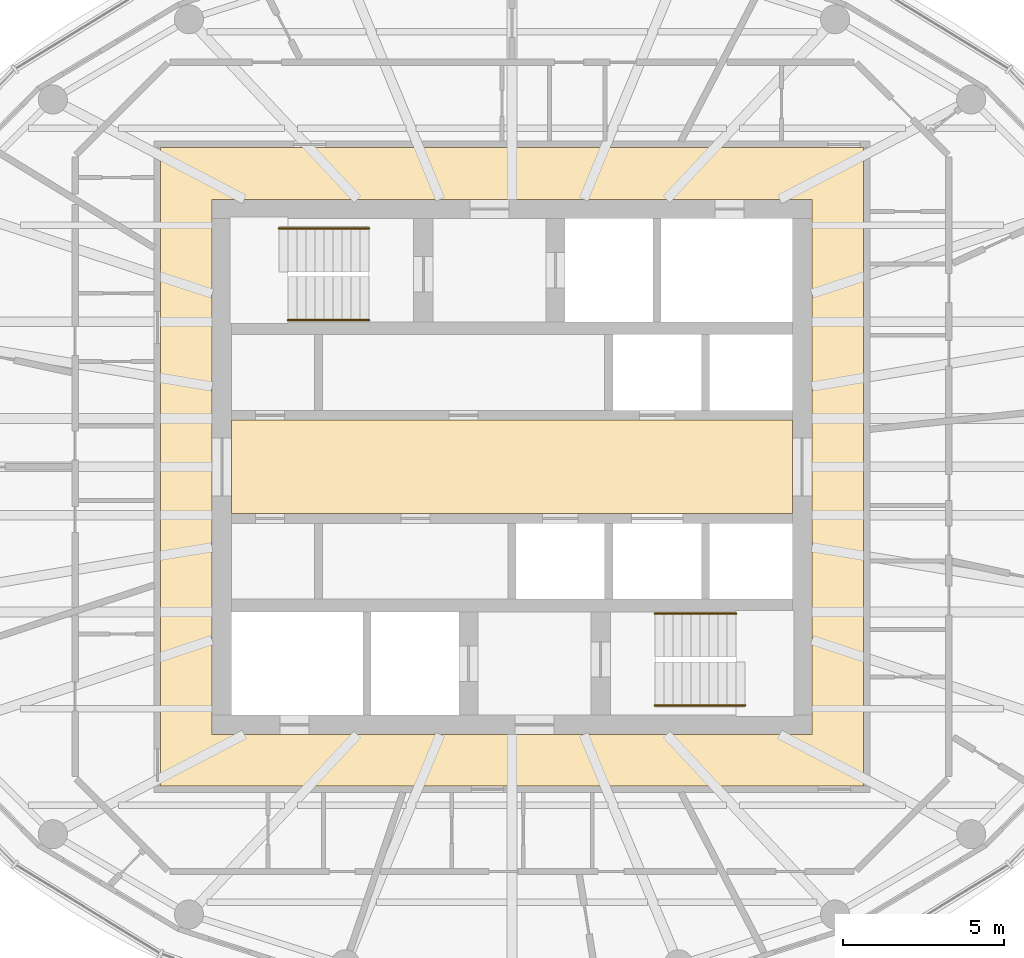
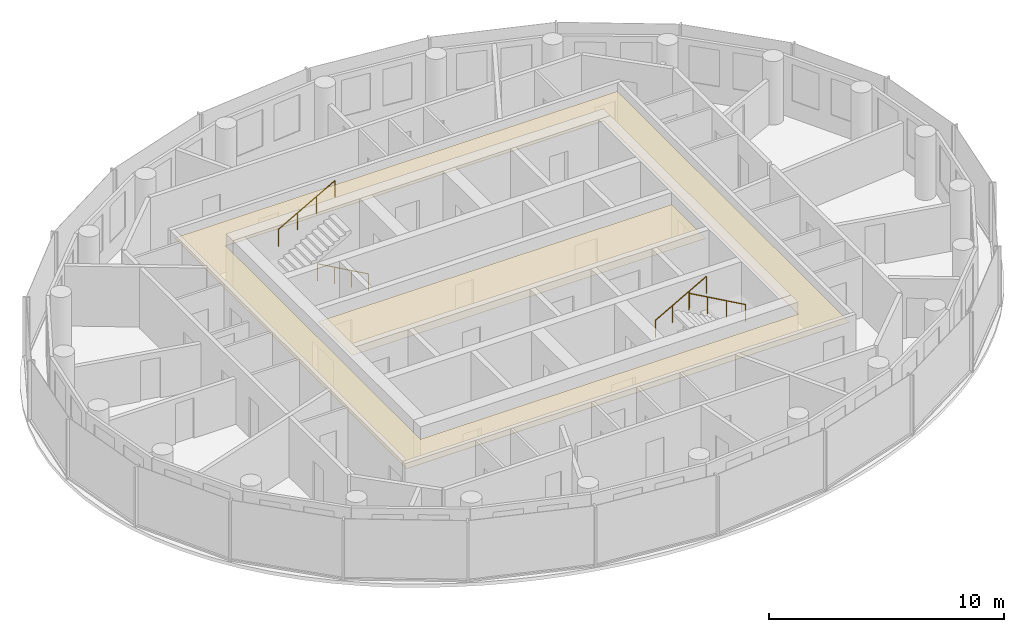
# One storey, part 11 of 11: 4 railings, 2 coverings.
"""IFC4 building model written with IfcOpenShell, lengths in metres."""

from ifc_helpers import new_model, si_unit, direction, frame, origin, origin_2d, place, context, subcontext, project, spatial, polyline, circle, outline, extrude, material, layer, layer_set, type_object, element, save


model = new_model("IFC4")

# Units and contexts
model_context = context("Model", 3, precision=1e-05, world=origin(), true_north=direction((0.0, 1.0)))
body_context = subcontext(model_context, "Body", "Model", "MODEL_VIEW")
ifc_project = project(units=[si_unit("LENGTHUNIT", "METRE"), si_unit("AREAUNIT", "SQUARE_METRE"), si_unit("VOLUMEUNIT", "CUBIC_METRE"), si_unit("PLANEANGLEUNIT", "RADIAN"), si_unit("MASSUNIT", "GRAM", prefix="KILO")], contexts=[model_context])

# Site, building, storey
site_placement = place(None, origin())
site = spatial("IfcSite", under=ifc_project, at=site_placement, CompositionType="ELEMENT")
building_placement = place(site_placement, origin())
building = spatial("IfcBuilding", under=site, at=building_placement, Name="Hankou Lantern Tower", CompositionType="ELEMENT")
storey_placement = place(building_placement, frame((0.0, 0.0, 209.39990234375)))
storey = spatial("IfcBuildingStorey", under=building, at=storey_placement, Name="L56", CompositionType="ELEMENT", Elevation=209.39990234375)

# Coverings
ifc_material_1 = material(Name="Black painted aluminium linear ceiling panels", Category="aluminium")
ifc_layer_1 = layer(ifc_material_1, 0.02490234375)
ifc_layer_set_1 = layer_set([ifc_layer_1], Name="Black painted aluminium linear ceiling panels")
covering_type_1 = type_object("IfcCoveringType", Name="CL1 CORRIDOR CEILING 25", PredefinedType="CEILING", material=ifc_layer_set_1)
covering_1_placement = place(storey_placement, frame((0.0, 0.0, 2.64501953125)))
element("IfcCovering", 1, at=covering_1_placement, inside=storey, type_object=covering_type_1, Name="Corridor ceiling L56", PredefinedType="CEILING", context=body_context, shape_type="SweptSolid", body=[
    extrude(outline(polyline([(-10.89990234375, -9.89990234375), (10.89990234375, -9.89990234375), (10.89990234375, 9.89990234375), (-10.89990234375, 9.89990234375), (-10.89990234375, -9.89990234375)]), holes=[polyline([(-9.300048828125, 8.300048828125), (9.300048828125, 8.300048828125), (9.300048828125, -8.300048828125), (-9.300048828125, -8.300048828125), (-9.300048828125, 8.300048828125)])]), origin(), (0.0, 0.0, 1.0), 0.025146484375),
])
ifc_material_2 = material(Name="Perforated black aluminium acoustic tray ceiling", Category="aluminium")
ifc_layer_2 = layer(ifc_material_2, 0.014892578125)
ifc_layer_set_2 = layer_set([ifc_layer_2], Name="Perforated black aluminium acoustic tray ceiling")
covering_type_2 = type_object("IfcCoveringType", Name="CL2 LIFT LOBBY CEILING 15", PredefinedType="CEILING", material=ifc_layer_set_2)
covering_2_placement = place(storey_placement, frame((0.0, 0.0, 2.655029296875)))
element("IfcCovering", 2, at=covering_2_placement, inside=storey, type_object=covering_type_2, Name="Lift lobby ceiling L56", PredefinedType="CEILING", context=body_context, shape_type="SweptSolid", body=[
    extrude(outline(polyline([(-8.699951171875, -1.449951171875), (8.699951171875, -1.449951171875), (8.699951171875, 1.449951171875), (-8.699951171875, 1.449951171875), (-8.699951171875, -1.449951171875)])), origin(), (0.0, 0.0, 1.0), 0.01513671875),
])

# Railings
ifc_material_3 = material(Name="Steel handrail", Category="steel")
railing_type = type_object("IfcRailingType", Name="HR1 STAIR HANDRAIL", PredefinedType="HANDRAIL", material=ifc_material_3)
railing_1_placement = place(storey_placement, frame((-4.429931640625, 4.550048828125, 0.900146484375)))
element("IfcRailing", 3, at=railing_1_placement, inside=storey, type_object=railing_type, Name="Handrail stair STA L56 flight 1", PredefinedType="HANDRAIL", context=body_context, shape_type="SweptSolid", body=[
    extrude(circle(Radius=0.02392578125, at=origin_2d()), frame((0.0, 0.0, 0.8759765625), z_axis=(-0.872048945198, 0.0, 0.489418672692), x_axis=(0.0, -1.0, 0.0)), (0.0, 0.0, 1.0), 2.8896484375),
    extrude(circle(Radius=0.02099609375, at=origin_2d()), origin(), (0.0, 0.0, 1.0), 0.851806640625),
    extrude(circle(Radius=0.02099609375, at=origin_2d()), frame((-0.840087890625, 0.0, 0.471435546875)), (0.0, 0.0, 1.0), 0.851806640625),
    extrude(circle(Radius=0.02099609375, at=origin_2d()), frame((-1.679931640625, 0.0, 0.94287109375)), (0.0, 0.0, 1.0), 0.851806640625),
    extrude(circle(Radius=0.02099609375, at=origin_2d()), frame((-2.52001953125, 0.0, 1.414306640625)), (0.0, 0.0, 1.0), 0.851806640625),
])
railing_2_placement = place(storey_placement, frame((-7.22998046875, 7.39990234375, 2.471435546875)))
element("IfcRailing", 4, at=railing_2_placement, inside=storey, type_object=railing_type, Name="Handrail stair STA L56 flight 2", PredefinedType="HANDRAIL", context=body_context, shape_type="SweptSolid", body=[
    extrude(circle(Radius=0.02392578125, at=origin_2d()), frame((0.0, 0.0, 0.8759765625), z_axis=(0.872040151574, 0.0, 0.489434340891), x_axis=(0.0, 1.0, 0.0)), (0.0, 0.0, 1.0), 3.2109375),
    extrude(circle(Radius=0.02099609375, at=origin_2d()), origin(), (0.0, 0.0, 1.0), 0.851806640625),
    extrude(circle(Radius=0.02099609375, at=origin_2d()), frame((0.933349609375, 0.0, 0.52392578125)), (0.0, 0.0, 1.0), 0.851806640625),
    extrude(circle(Radius=0.02099609375, at=origin_2d()), frame((1.86669921875, 0.0, 1.047607421875)), (0.0, 0.0, 1.0), 0.851806640625),
    extrude(circle(Radius=0.02099609375, at=origin_2d()), frame((2.800048828125, 0.0, 1.571533203125)), (0.0, 0.0, 1.0), 0.851806640625),
])
railing_3_placement = place(storey_placement, frame((4.429931640625, -4.550048828125, 0.900146484375)))
element("IfcRailing", 5, at=railing_3_placement, inside=storey, type_object=railing_type, Name="Handrail stair STB L56 flight 1", PredefinedType="HANDRAIL", context=body_context, shape_type="SweptSolid", body=[
    extrude(circle(Radius=0.02392578125, at=origin_2d()), frame((0.0, 0.0, 0.8759765625), z_axis=(0.872048945198, 0.0, 0.489418672692), x_axis=(0.0, 1.0, 0.0)), (0.0, 0.0, 1.0), 2.8896484375),
    extrude(circle(Radius=0.02099609375, at=origin_2d()), origin(), (0.0, 0.0, 1.0), 0.851806640625),
    extrude(circle(Radius=0.02099609375, at=origin_2d()), frame((0.840087890625, 0.0, 0.471435546875)), (0.0, 0.0, 1.0), 0.851806640625),
    extrude(circle(Radius=0.02099609375, at=origin_2d()), frame((1.679931640625, 0.0, 0.94287109375)), (0.0, 0.0, 1.0), 0.851806640625),
    extrude(circle(Radius=0.02099609375, at=origin_2d()), frame((2.52001953125, 0.0, 1.414306640625)), (0.0, 0.0, 1.0), 0.851806640625),
])
railing_4_placement = place(storey_placement, frame((7.22998046875, -7.39990234375, 2.471435546875)))
element("IfcRailing", 6, at=railing_4_placement, inside=storey, type_object=railing_type, Name="Handrail stair STB L56 flight 2", PredefinedType="HANDRAIL", context=body_context, shape_type="SweptSolid", body=[
    extrude(circle(Radius=0.02392578125, at=origin_2d()), frame((0.0, 0.0, 0.8759765625), z_axis=(-0.872040151574, 0.0, 0.489434340891), x_axis=(0.0, -1.0, 0.0)), (0.0, 0.0, 1.0), 3.2109375),
    extrude(circle(Radius=0.02099609375, at=origin_2d()), origin(), (0.0, 0.0, 1.0), 0.851806640625),
    extrude(circle(Radius=0.02099609375, at=origin_2d()), frame((-0.933349609375, 0.0, 0.52392578125)), (0.0, 0.0, 1.0), 0.851806640625),
    extrude(circle(Radius=0.02099609375, at=origin_2d()), frame((-1.86669921875, 0.0, 1.047607421875)), (0.0, 0.0, 1.0), 0.851806640625),
    extrude(circle(Radius=0.02099609375, at=origin_2d()), frame((-2.800048828125, 0.0, 1.571533203125)), (0.0, 0.0, 1.0), 0.851806640625),
])

save(model, "model.ifc")
